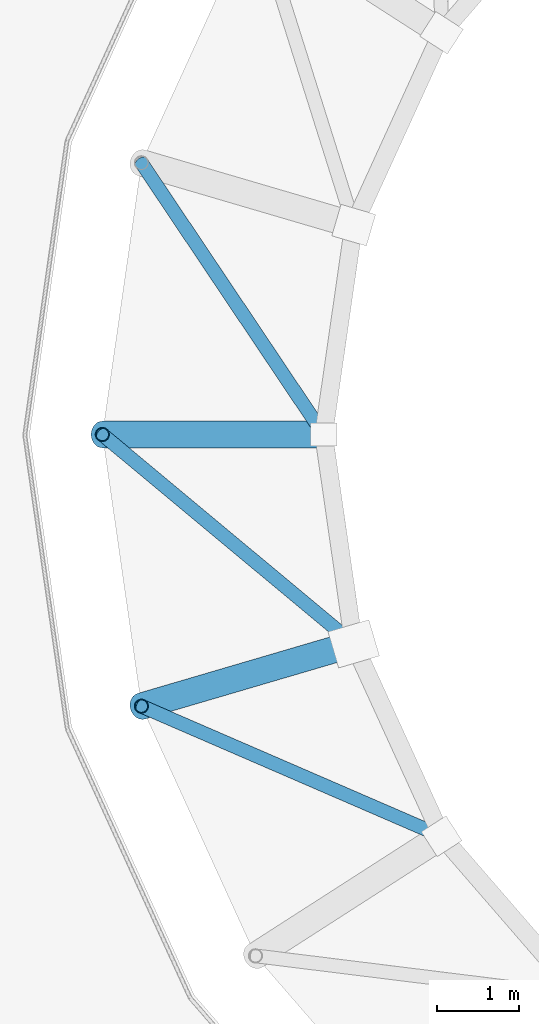
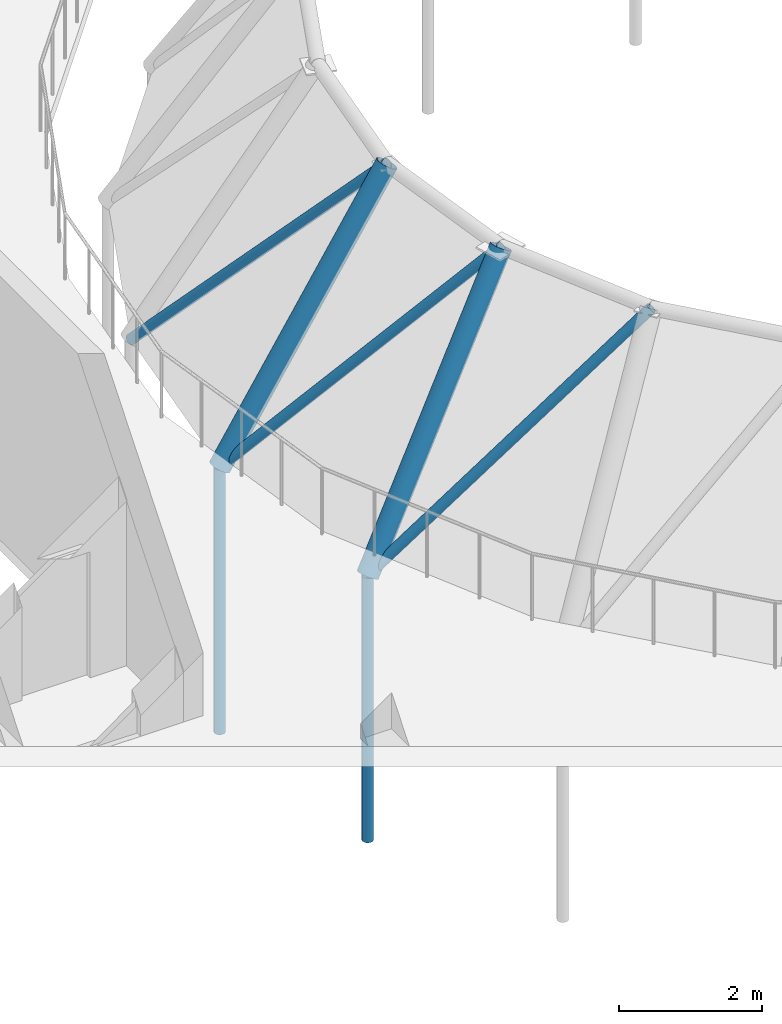
# One storey, part 9 of 38: 5 members, 2 beams.
"""IFC4 building model written with IfcOpenShell, lengths in metres."""

from ifc_helpers import new_model, si_unit, direction, frame, origin, origin_2d, place, context, subcontext, project, spatial, hollow_circle, extrude, material, material_profile, profile_set, type_object, element, save


model = new_model("IFC4")

# Units and contexts
model_context = context("Model", 3, precision=1e-05, world=origin(), true_north=direction((0.0, 1.0)))
body_context = subcontext(model_context, "Body", "Model", "MODEL_VIEW")
ifc_project = project(units=[si_unit("LENGTHUNIT", "METRE"), si_unit("AREAUNIT", "SQUARE_METRE"), si_unit("VOLUMEUNIT", "CUBIC_METRE"), si_unit("PLANEANGLEUNIT", "RADIAN"), si_unit("MASSUNIT", "GRAM", prefix="KILO")], contexts=[model_context])

# Site, building, storey
site_placement = place(None, origin())
site = spatial("IfcSite", under=ifc_project, at=site_placement, CompositionType="ELEMENT")
building_placement = place(site_placement, origin())
building = spatial("IfcBuilding", under=site, at=building_placement, Name="Pelvatis Terrace Science Centre", CompositionType="ELEMENT")
storey_placement = place(building_placement, frame((0.0, 0.0, 24.300048828125)))
storey = spatial("IfcBuildingStorey", under=building, at=storey_placement, Name="L05", CompositionType="ELEMENT", Elevation=24.300048828125)

# Beams
ifc_material_1 = material(Name="Structural steel S355", Category="steel")
ifc_material_profile_1 = material_profile(ifc_material_1, hollow_circle(Radius=0.161865234375, WallThickness=0.012451171875, at=origin_2d()), Name="CHS 323.9x12.5")
ifc_profile_set_1 = profile_set([ifc_material_profile_1], Name="Structural steel S355")
beam_type = type_object("IfcBeamType", Name="BM-DOME-CHS324", PredefinedType="BEAM", material=ifc_profile_set_1)
beam_1_placement = place(storey_placement, frame((97.43701171875, 85.800048828125, -1.1845703125), z_axis=(0.537265337557, 0.0, 0.843413277735), x_axis=(0.0, 1.0, 0.0)))
element("IfcBeam", 1, at=beam_1_placement, inside=storey, type_object=beam_type, Name="Planetarium meridional dome rib 12.2", PredefinedType="BEAM", context=body_context, shape_type="SweptSolid", body=[
    extrude(hollow_circle(Radius=0.161865234375, WallThickness=0.012451171875, at=origin_2d()), origin(), (0.0, 0.0, 1.0), 5.02392578125),
])
beam_2_placement = place(storey_placement, frame((97.913330078125, 82.48583984375, -1.1845703125), z_axis=(0.515528072636, 0.15141723766, 0.843388182549), x_axis=(-0.281808867545, 0.959470563474, 0.0)))
element("IfcBeam", 2, at=beam_2_placement, inside=storey, type_object=beam_type, Name="Planetarium meridional dome rib 13.2", PredefinedType="BEAM", context=body_context, shape_type="SweptSolid", body=[
    extrude(hollow_circle(Radius=0.161865234375, WallThickness=0.012451171875, at=origin_2d()), origin(), (0.0, 0.0, 1.0), 5.024169921875),
])

# Members
ifc_material_2 = material(Name="Structural steel S355", Category="steel")
ifc_material_profile_2 = material_profile(ifc_material_2, hollow_circle(Radius=0.084228515625, WallThickness=0.00634765625, at=origin_2d()), Name="CHS 168.3x6.3")
ifc_profile_set_2 = profile_set([ifc_material_profile_2], Name="Structural steel S355")
member_type_1 = type_object("IfcMemberType", Name="MEM-BRC-CHS168", PredefinedType="BRACE", material=ifc_profile_set_2)
for number, where, z_axis, x_axis, name in (
    (3, (97.913330078125, 89.114013671875, -1.1845703125), (0.381907823852, -0.569359341127, 0.727994749124), (0.83047506459, 0.557055802497, 0.0), "Planetarium dome lateral brace 2.11"),
    (4, (97.43701171875, 85.800048828125, -1.1845703125), (0.526832003611, -0.438705089632, 0.728001294162), (0.639907532465, 0.768451917751, 0.0), "Planetarium dome lateral brace 2.12"),
    (5, (97.913330078125, 82.48583984375, -1.1845703125), (0.629123266717, -0.272470480738, 0.727986093549), (0.397423718693, 0.917635215006, 0.0), "Planetarium dome lateral brace 2.13"),
):
    element("IfcMember", number, at=place(storey_placement, frame(where, z_axis=z_axis, x_axis=x_axis)), inside=storey, type_object=member_type_1, Name=name, PredefinedType="BRACE", context=body_context, shape_type="SweptSolid", body=[
        extrude(hollow_circle(Radius=0.084228515625, WallThickness=0.00634765625, at=origin_2d()), origin(), (0.0, 0.0, 1.0), 5.820556640625),
    ])
ifc_material_3 = material(Name="Structural steel S355", Category="steel")
ifc_material_profile_3 = material_profile(ifc_material_3, hollow_circle(Radius=0.084228515625, WallThickness=0.00634765625, at=origin_2d()), Name="CHS 168.3x6.3")
ifc_profile_set_3 = profile_set([ifc_material_profile_3], Name="Structural steel S355")
member_type_2 = type_object("IfcMemberType", Name="MEM-STR-CHS168", PredefinedType="STRUT", material=ifc_profile_set_3)
for number, where, z_axis, x_axis, name in (
    (6, (97.43701171875, 85.800048828125, -5.699951171875), (0.0, 0.0, 1.0), (1.0, 0.0, 0.0), "Dome arch vertical web post 1.12"),
    (7, (97.913330078125, 82.48583984375, -5.699951171875), (0.0, 0.0, 1.0), (1.0, 0.0, 0.0), "Dome arch vertical web post 1.13"),
):
    element("IfcMember", number, at=place(storey_placement, frame(where, z_axis=z_axis, x_axis=x_axis)), inside=storey, type_object=member_type_2, Name=name, PredefinedType="STRUT", context=body_context, shape_type="SweptSolid", body=[
        extrude(hollow_circle(Radius=0.084228515625, WallThickness=0.00634765625, at=origin_2d()), origin(), (0.0, 0.0, 1.0), 4.515380859375),
    ])

save(model, "model.ifc")
